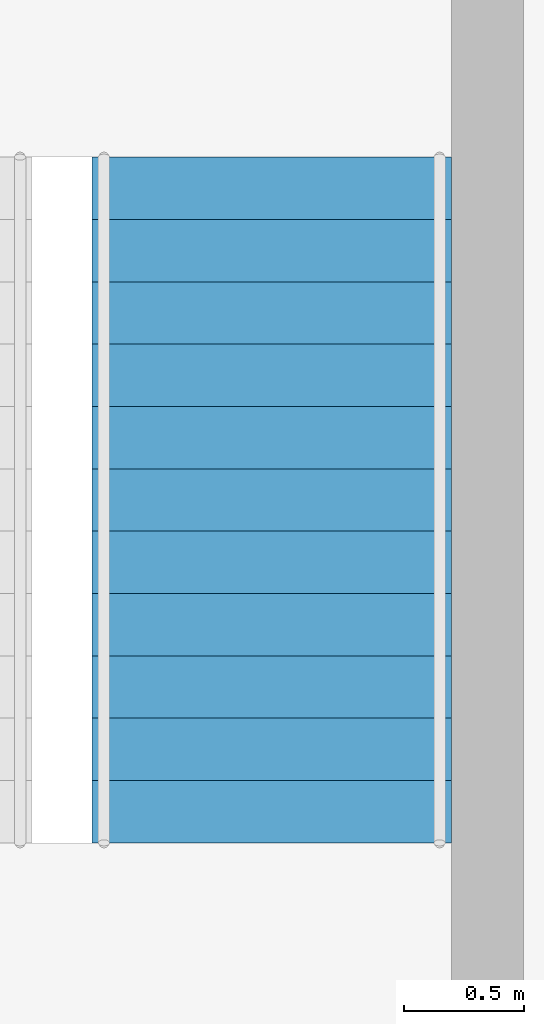
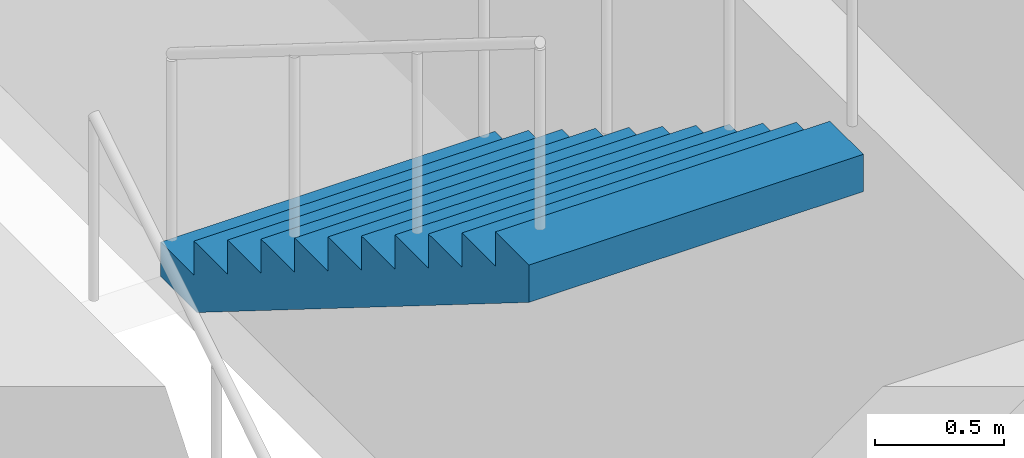
# One storey, part 11 of 12: 1 stair flight, 1 element without a shape of its own.
"""IFC4 building model written with IfcOpenShell, lengths in metres."""

from ifc_helpers import new_model, si_unit, direction, frame, origin, place, context, subcontext, project, spatial, polyline, outline, extrude, material, type_object, element, aggregate, save


model = new_model("IFC4")

# Units and contexts
model_context = context("Model", 3, precision=1e-05, world=origin(), true_north=direction((0.0, 1.0)))
body_context = subcontext(model_context, "Body", "Model", "MODEL_VIEW")
ifc_project = project(units=[si_unit("LENGTHUNIT", "METRE"), si_unit("AREAUNIT", "SQUARE_METRE"), si_unit("VOLUMEUNIT", "CUBIC_METRE"), si_unit("PLANEANGLEUNIT", "RADIAN"), si_unit("MASSUNIT", "GRAM", prefix="KILO")], contexts=[model_context])

# Site, building, storey
site_placement = place(None, origin())
site = spatial("IfcSite", under=ifc_project, at=site_placement, CompositionType="ELEMENT")
building_placement = place(site_placement, origin())
building = spatial("IfcBuilding", under=site, at=building_placement, Name="Highveld Stack Headquarters", CompositionType="ELEMENT")
storey_placement = place(building_placement, frame((0.0, 0.0, 37.699951171875)))
storey = spatial("IfcBuildingStorey", under=building, at=storey_placement, Name="L08", CompositionType="ELEMENT", Elevation=37.699951171875)

# Stair, stair flight
ifc_material_1 = material(Name="Concrete C40/50, precast", Category="concrete")
stair_type = type_object("IfcStairType", Name="STAIR S1 HALF TURN 1500", PredefinedType="HALF_TURN_STAIR", material=ifc_material_1)
stair_placement = place(storey_placement, origin())
stair = element("IfcStair", 1, at=stair_placement, inside=storey, type_object=stair_type, Name="Stair S1 L08", PredefinedType="HALF_TURN_STAIR")
ifc_material_2 = material(Name="Concrete C40/50, precast", Category="concrete")
stair_flight_type = type_object("IfcStairFlightType", Name="STAIR FLIGHT 1500 PRECAST", PredefinedType="STRAIGHT", material=ifc_material_2)
stair_flight_placement = place(storey_placement, frame((-3.10009765625, 7.610107421875, 1.949951171875), z_axis=(0.0, 0.0, 1.0), x_axis=(0.0, -1.0, 0.0)))
stair_flight = element("IfcStairFlight", 2, at=stair_flight_placement, type_object=stair_flight_type, Name="S1 flight 2", NumberOfRisers=12, NumberOfTreads=11, PredefinedType="STRAIGHT", RiserHeight=0.1625, TreadLength=0.26, context=body_context, shape_type="SweptSolid", body=[
    extrude(outline(polyline([(0.0, 0.0), (0.0, 0.16259765625), (0.260009765625, 0.16259765625), (0.260009765625, 0.324951171875), (0.52001953125, 0.324951171875), (0.52001953125, 0.487548828125), (0.780029296875, 0.487548828125), (0.780029296875, 0.64990234375), (1.0400390625, 0.64990234375), (1.0400390625, 0.8125), (1.300048828125, 0.8125), (1.300048828125, 0.97509765625), (1.56005859375, 0.97509765625), (1.56005859375, 1.137451171875), (1.820068359375, 1.137451171875), (1.820068359375, 1.300048828125), (2.080078125, 1.300048828125), (2.080078125, 1.46240234375), (2.340087890625, 1.46240234375), (2.340087890625, 1.625), (2.60009765625, 1.625), (2.60009765625, 1.78759765625), (2.860107421875, 1.78759765625), (2.860107421875, 1.949951171875), (2.860107421875, 1.61083984375), (0.28271484375, 0.0), (0.0, 0.0)])), frame((0.0, 0.75, 0.0), z_axis=(0.0, -1.0, 0.0), x_axis=(1.0, 0.0, 0.0)), (0.0, 0.0, 1.0), 1.5),
])
aggregate(stair, [stair_flight])

save(model, "model.ifc")
